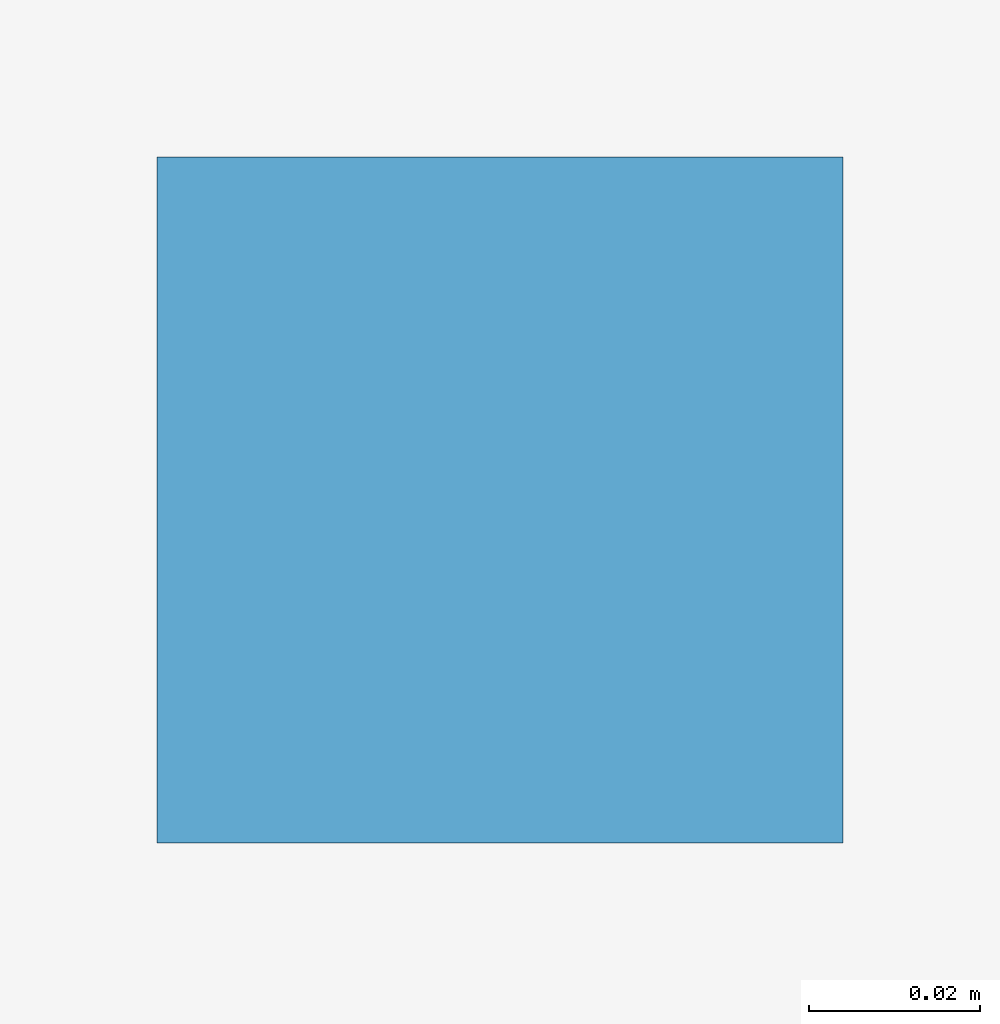
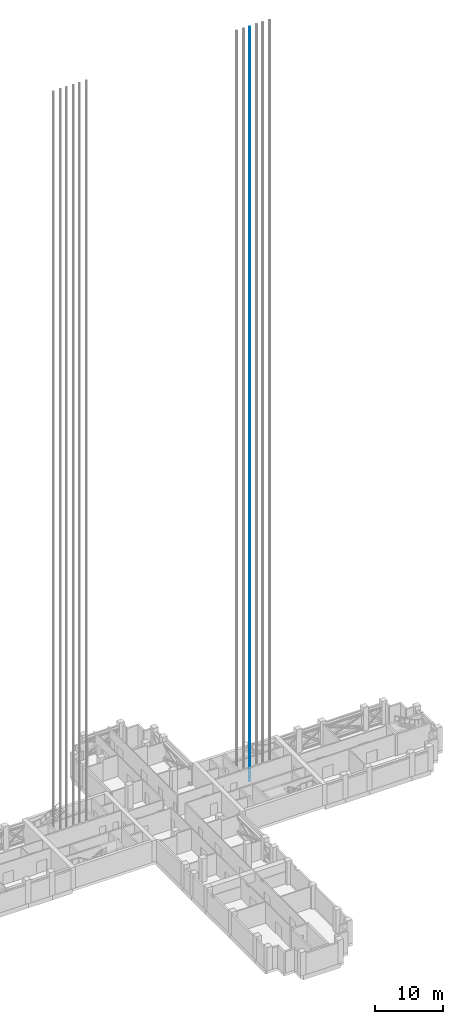
# One storey, part 18 of 22: 1 discrete accessory.
"""IFC4 building model written with IfcOpenShell, lengths in metres."""

import ifcopenshell
import ifcopenshell.guid

model = None  # the IFC model being written
_history = None  # IfcOwnerHistory: only IFC2X3 demands one
_inside = {}  # id of a spatial element -> (the spatial element, [elements in it])
_under = {}  # id of a project, library or spatial element -> (it, [spatial elements below it])
_declared = {}  # id of a project -> (the project, [libraries it declares])
_typed = {}  # id of a type object -> (the type object, [elements of that type])
_made_of = {}  # id of a material, layer set ... -> (it, [elements and type objects made of it])


def new_model(schema):
    """Start an empty IFC model of exactly this schema.

    Asked for "IFC4X3", IfcOpenShell would pick the latest addendum, in which some entities
    have other attributes; the version numbers below select the first issue.
    IFC2X3 requires an IfcOwnerHistory on every rooted entity: one is made here for all.
    """
    global model, _history
    if schema == "IFC4X3":
        model = ifcopenshell.file(schema_version=(4, 3, 0, 0))
    else:
        model = ifcopenshell.file(schema=schema)
    _inside.clear()
    _under.clear()
    _declared.clear()
    _typed.clear()
    _made_of.clear()
    _history = None
    if model.schema == "IFC2X3":
        org = make("IfcOrganization", Name="unknown")
        user = make(
            "IfcPersonAndOrganization",
            ThePerson=make("IfcPerson", FamilyName="unknown"),
            TheOrganization=org,
        )
        app = make(
            "IfcApplication",
            ApplicationDeveloper=org,
            Version="unknown",
            ApplicationFullName="unknown",
            ApplicationIdentifier="unknown",
        )
        _history = make(
            "IfcOwnerHistory",
            OwningUser=user,
            OwningApplication=app,
            ChangeAction="ADDED",
            CreationDate=0,
        )
    return model


def make(cls, **values):
    """One entity of the class cls with the attributes given. An attribute that is None is left unset."""
    return model.create_entity(
        cls, **{name: value for name, value in values.items() if value is not None}
    )


def rooted(cls, **values):
    """An entity with a GlobalId (a new one), such as an element, a storey or a relation."""
    return make(cls, GlobalId=ifcopenshell.guid.new(), OwnerHistory=_history, **values)


def si_unit(unit_type, name, prefix=None):
    """IfcSIUnit, for example si_unit("LENGTHUNIT", "METRE", prefix="MILLI")."""
    return make("IfcSIUnit", UnitType=unit_type, Prefix=prefix, Name=name)


def assignment(units):
    """IfcUnitAssignment: the units of a project."""
    return None if units is None else make("IfcUnitAssignment", Units=units)


def point(xyz):
    """IfcCartesianPoint."""
    return None if xyz is None else make("IfcCartesianPoint", Coordinates=xyz)


def direction(xyz):
    """IfcDirection."""
    return None if xyz is None else make("IfcDirection", DirectionRatios=xyz)


def frame(location, z_axis=None, x_axis=None):
    """IfcAxis2Placement3D, a coordinate frame: its origin and axes. An axis left out is left unset."""
    return make(
        "IfcAxis2Placement3D",
        Location=point(location),
        Axis=direction(z_axis),
        RefDirection=direction(x_axis),
    )


def frame_2d(location, x_axis=None):
    """IfcAxis2Placement2D, a coordinate frame in the plane: its origin and x axis."""
    return make(
        "IfcAxis2Placement2D", Location=point(location), RefDirection=direction(x_axis)
    )


def origin():
    """The frame at (0, 0, 0) with its axes left unset."""
    return frame((0.0, 0.0, 0.0))


def origin_2d():
    """The frame at (0, 0) in the plane with its x axis left unset."""
    return frame_2d((0.0, 0.0))


def place(relative_to, where):
    """IfcLocalPlacement: puts the frame where relative to a parent placement (None: the world)."""
    return make(
        "IfcLocalPlacement", PlacementRelTo=relative_to, RelativePlacement=where
    )


def context(
    kind, dimensions, precision=None, world=None, true_north=None, identifier=None
):
    """IfcGeometricRepresentationContext, for example the 3D "Model" context."""
    return make(
        "IfcGeometricRepresentationContext",
        ContextIdentifier=identifier,
        ContextType=kind,
        CoordinateSpaceDimension=dimensions,
        Precision=precision,
        WorldCoordinateSystem=world,
        TrueNorth=true_north,
    )


def subcontext(parent, identifier, kind, view, scale=None):
    """IfcGeometricRepresentationSubContext, for example "Body" below "Model"."""
    return make(
        "IfcGeometricRepresentationSubContext",
        ContextIdentifier=identifier,
        ContextType=kind,
        ParentContext=parent,
        TargetScale=scale,
        TargetView=view,
    )


def project(units=None, contexts=None):
    """IfcProject with its units and contexts."""
    return rooted(
        "IfcProject",
        Name="project",
        RepresentationContexts=contexts,
        UnitsInContext=assignment(units),
    )


def spatial(cls, under=None, at=None, **own):
    """A site, building, storey or space (cls), placed at a placement, below another one or the project."""
    s = rooted(cls, ObjectPlacement=at, **own)
    if under is not None:
        _under.setdefault(under.id(), (under, []))[1].append(s)
    return s


def profile(cls, at=None, kind="AREA", **sizes):
    """A parametric profile (cls). Its sizes go by their IFC names, for example OverallWidth=200.0."""
    return make(cls, ProfileType=kind, Position=at, **sizes)


def rectangle(**sizes):
    """IfcRectangleProfileDef."""
    return profile("IfcRectangleProfileDef", **sizes)


def extrude(swept, where, along, depth):
    """IfcExtrudedAreaSolid: the profile swept, set in the frame where, extruded along a direction by depth."""
    return make(
        "IfcExtrudedAreaSolid",
        SweptArea=swept,
        Position=where,
        ExtrudedDirection=direction(along),
        Depth=depth,
    )


def shape(context_of_items, identifier, shape_type, items):
    """IfcShapeRepresentation: the items that make up one representation, for example the "Body"."""
    return make(
        "IfcShapeRepresentation",
        ContextOfItems=context_of_items,
        RepresentationIdentifier=identifier,
        RepresentationType=shape_type,
        Items=items,
    )


def material(Name=None, Category=None):
    """IfcMaterial."""
    return make("IfcMaterial", Name=Name, Category=Category)


def made_of(thing, what):
    """Note that an element or type object is made of a material, layer set ...; save() writes the relation."""
    if what is not None:
        _made_of.setdefault(what.id(), (what, []))[1].append(thing)
    return thing


def element(
    cls,
    number,
    at=None,
    inside=None,
    cuts=None,
    type_object=None,
    material=None,
    context=None,
    identifier="Body",
    shape_type=None,
    held_by="IfcProductDefinitionShape",
    body=None,
    shapes=None,
    **own,
):
    """One element of the class cls, such as IfcWall. Its Tag is "e" and its number.

    at: its placement. inside: the storey or other place that contains it. cuts: it is an
    opening in that element (IfcRelVoidsElement). A single representation is given by context,
    identifier, shape_type and body (its items); several are given by shapes. held_by: the class
    of the entity that holds the representations. save() writes the other relations.
    """
    e = rooted(cls, Tag="e%d" % number, ObjectPlacement=at, **own)
    if body is not None:
        shapes = [shape(context, identifier, shape_type, body)]
    if shapes is not None:
        e.Representation = make(held_by, Representations=shapes)
    if inside is not None:
        _inside.setdefault(inside.id(), (inside, []))[1].append(e)
    if cuts is not None:
        rooted(
            "IfcRelVoidsElement", RelatingBuildingElement=cuts, RelatedOpeningElement=e
        )
    if type_object is not None:
        _typed.setdefault(type_object.id(), (type_object, []))[1].append(e)
    return made_of(e, material)


def aggregate(whole, parts):
    """IfcRelAggregates: a whole, such as a stair, and the parts it consists of."""
    return rooted("IfcRelAggregates", RelatingObject=whole, RelatedObjects=parts)


def save(model, path):
    """Write the relations noted so far, then the file.

    IfcRelAggregates (storeys below a building ...), IfcRelContainedInSpatialStructure (elements
    in a storey), IfcRelDefinesByType, IfcRelAssociatesMaterial and IfcRelDeclares: one each for
    every whole, place, type object, material and project.
    """
    for whole, parts in _under.values():
        aggregate(whole, parts)
    for where, things in _inside.values():
        rooted(
            "IfcRelContainedInSpatialStructure",
            RelatedElements=things,
            RelatingStructure=where,
        )
    for kind, things in _typed.values():
        rooted("IfcRelDefinesByType", RelatedObjects=things, RelatingType=kind)
    for what, things in _made_of.values():
        rooted("IfcRelAssociatesMaterial", RelatedObjects=things, RelatingMaterial=what)
    for by, libraries in _declared.values():
        rooted("IfcRelDeclares", RelatingContext=by, RelatedDefinitions=libraries)
    model.write(path)


model = new_model("IFC4")

# Units and contexts
model_context = context("Model", 3, precision=1e-05, world=origin(), true_north=direction((0.0, 1.0)))
body_context = subcontext(model_context, "Body", "Model", "MODEL_VIEW")
ifc_project = project(units=[si_unit("LENGTHUNIT", "METRE"), si_unit("AREAUNIT", "SQUARE_METRE"), si_unit("VOLUMEUNIT", "CUBIC_METRE"), si_unit("PLANEANGLEUNIT", "RADIAN"), si_unit("MASSUNIT", "GRAM", prefix="KILO")], contexts=[model_context])

# Site, building, storey
site_placement = place(None, origin())
site = spatial("IfcSite", under=ifc_project, at=site_placement, CompositionType="ELEMENT")
building_placement = place(site_placement, origin())
building = spatial("IfcBuilding", under=site, at=building_placement, Name="Fustian Cross Tower", CompositionType="ELEMENT")
storey_placement = place(building_placement, frame((0.0, 0.0, 111.89990234375)))
storey = spatial("IfcBuildingStorey", under=building, at=storey_placement, Name="L35", CompositionType="ELEMENT", Elevation=111.89990234375)

# Discrete accessory
ifc_material = material(Name="Steel S355", Category="steel")
discrete_accessory_placement = place(storey_placement, frame((14.875, 3.7099609375, 0.0), z_axis=(0.0, 0.0, 1.0), x_axis=(1.0, 0.0, 0.0)))
element("IfcDiscreteAccessory", 1, at=discrete_accessory_placement, inside=storey, material=ifc_material, Name="Lift guide rail HR2 1", PredefinedType="NOTDEFINED", context=body_context, shape_type="SweptSolid", body=[
    extrude(rectangle(XDim=0.080078125, YDim=0.080078125, at=origin_2d()), origin(), (0.0, 0.0, 1.0), 134.60009765625),
])

save(model, "model.ifc")
